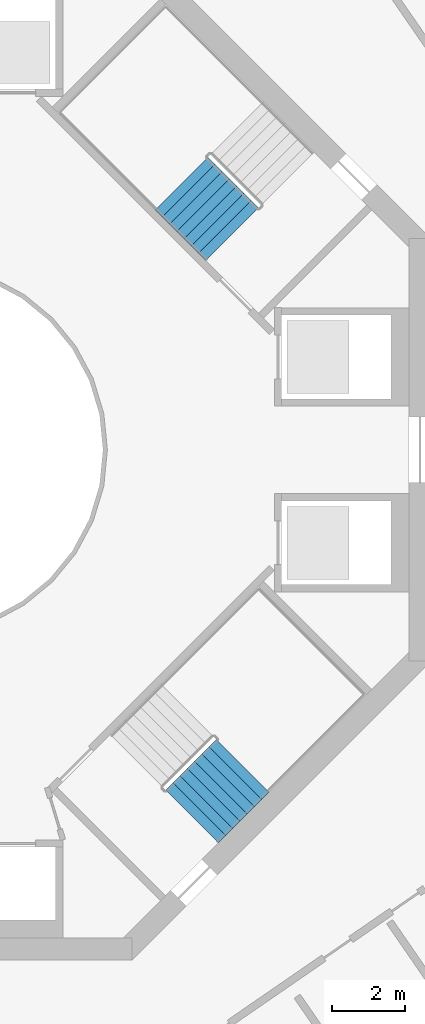
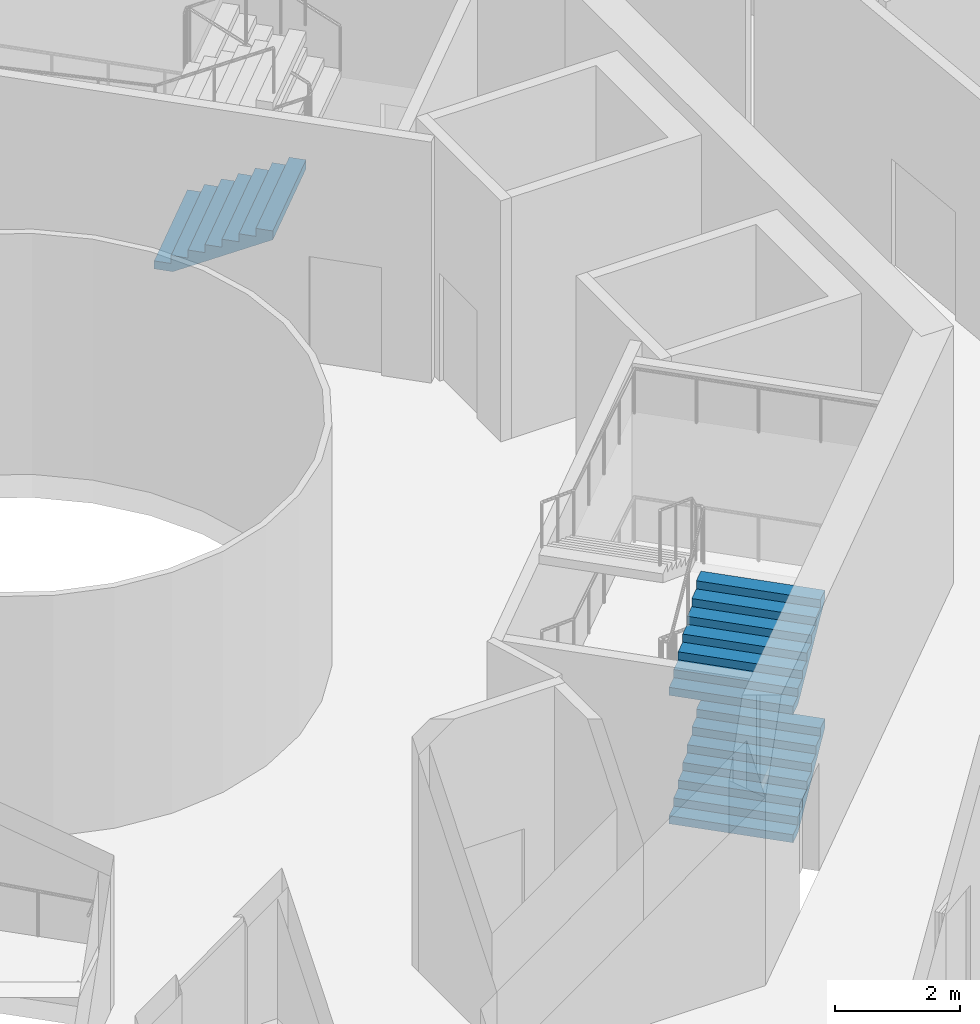
# One storey, part 17 of 21: 3 stair flights, 2 elements without a shape of their own.
"""IFC4 building model written with IfcOpenShell, lengths in metres."""

import ifcopenshell
import ifcopenshell.guid

model = None  # the IFC model being written
_history = None  # IfcOwnerHistory: only IFC2X3 demands one
_inside = {}  # id of a spatial element -> (the spatial element, [elements in it])
_under = {}  # id of a project, library or spatial element -> (it, [spatial elements below it])
_declared = {}  # id of a project -> (the project, [libraries it declares])
_typed = {}  # id of a type object -> (the type object, [elements of that type])
_made_of = {}  # id of a material, layer set ... -> (it, [elements and type objects made of it])


def new_model(schema):
    """Start an empty IFC model of exactly this schema.

    Asked for "IFC4X3", IfcOpenShell would pick the latest addendum, in which some entities
    have other attributes; the version numbers below select the first issue.
    IFC2X3 requires an IfcOwnerHistory on every rooted entity: one is made here for all.
    """
    global model, _history
    if schema == "IFC4X3":
        model = ifcopenshell.file(schema_version=(4, 3, 0, 0))
    else:
        model = ifcopenshell.file(schema=schema)
    _inside.clear()
    _under.clear()
    _declared.clear()
    _typed.clear()
    _made_of.clear()
    _history = None
    if model.schema == "IFC2X3":
        org = make("IfcOrganization", Name="unknown")
        user = make(
            "IfcPersonAndOrganization",
            ThePerson=make("IfcPerson", FamilyName="unknown"),
            TheOrganization=org,
        )
        app = make(
            "IfcApplication",
            ApplicationDeveloper=org,
            Version="unknown",
            ApplicationFullName="unknown",
            ApplicationIdentifier="unknown",
        )
        _history = make(
            "IfcOwnerHistory",
            OwningUser=user,
            OwningApplication=app,
            ChangeAction="ADDED",
            CreationDate=0,
        )
    return model


def make(cls, **values):
    """One entity of the class cls with the attributes given. An attribute that is None is left unset."""
    return model.create_entity(
        cls, **{name: value for name, value in values.items() if value is not None}
    )


def rooted(cls, **values):
    """An entity with a GlobalId (a new one), such as an element, a storey or a relation."""
    return make(cls, GlobalId=ifcopenshell.guid.new(), OwnerHistory=_history, **values)


def si_unit(unit_type, name, prefix=None):
    """IfcSIUnit, for example si_unit("LENGTHUNIT", "METRE", prefix="MILLI")."""
    return make("IfcSIUnit", UnitType=unit_type, Prefix=prefix, Name=name)


def assignment(units):
    """IfcUnitAssignment: the units of a project."""
    return None if units is None else make("IfcUnitAssignment", Units=units)


def point(xyz):
    """IfcCartesianPoint."""
    return None if xyz is None else make("IfcCartesianPoint", Coordinates=xyz)


def direction(xyz):
    """IfcDirection."""
    return None if xyz is None else make("IfcDirection", DirectionRatios=xyz)


def frame(location, z_axis=None, x_axis=None):
    """IfcAxis2Placement3D, a coordinate frame: its origin and axes. An axis left out is left unset."""
    return make(
        "IfcAxis2Placement3D",
        Location=point(location),
        Axis=direction(z_axis),
        RefDirection=direction(x_axis),
    )


def origin():
    """The frame at (0, 0, 0) with its axes left unset."""
    return frame((0.0, 0.0, 0.0))


def place(relative_to, where):
    """IfcLocalPlacement: puts the frame where relative to a parent placement (None: the world)."""
    return make(
        "IfcLocalPlacement", PlacementRelTo=relative_to, RelativePlacement=where
    )


def context(
    kind, dimensions, precision=None, world=None, true_north=None, identifier=None
):
    """IfcGeometricRepresentationContext, for example the 3D "Model" context."""
    return make(
        "IfcGeometricRepresentationContext",
        ContextIdentifier=identifier,
        ContextType=kind,
        CoordinateSpaceDimension=dimensions,
        Precision=precision,
        WorldCoordinateSystem=world,
        TrueNorth=true_north,
    )


def subcontext(parent, identifier, kind, view, scale=None):
    """IfcGeometricRepresentationSubContext, for example "Body" below "Model"."""
    return make(
        "IfcGeometricRepresentationSubContext",
        ContextIdentifier=identifier,
        ContextType=kind,
        ParentContext=parent,
        TargetScale=scale,
        TargetView=view,
    )


def project(units=None, contexts=None):
    """IfcProject with its units and contexts."""
    return rooted(
        "IfcProject",
        Name="project",
        RepresentationContexts=contexts,
        UnitsInContext=assignment(units),
    )


def spatial(cls, under=None, at=None, **own):
    """A site, building, storey or space (cls), placed at a placement, below another one or the project."""
    s = rooted(cls, ObjectPlacement=at, **own)
    if under is not None:
        _under.setdefault(under.id(), (under, []))[1].append(s)
    return s


def point_list(points):
    """IfcCartesianPointList2D or 3D."""
    cls = (
        "IfcCartesianPointList2D" if len(points[0]) == 2 else "IfcCartesianPointList3D"
    )
    return make(cls, CoordList=points)


def triangles(points, corners, closed=None, point_numbers=None):
    """IfcTriangulatedFaceSet: each triangle names its three corners, points numbered from 1."""
    return make(
        "IfcTriangulatedFaceSet",
        Coordinates=point_list(points),
        Closed=closed,
        CoordIndex=corners,
        PnIndex=point_numbers,
    )


def shape(context_of_items, identifier, shape_type, items):
    """IfcShapeRepresentation: the items that make up one representation, for example the "Body"."""
    return make(
        "IfcShapeRepresentation",
        ContextOfItems=context_of_items,
        RepresentationIdentifier=identifier,
        RepresentationType=shape_type,
        Items=items,
    )


def material(Name=None, Category=None):
    """IfcMaterial."""
    return make("IfcMaterial", Name=Name, Category=Category)


def made_of(thing, what):
    """Note that an element or type object is made of a material, layer set ...; save() writes the relation."""
    if what is not None:
        _made_of.setdefault(what.id(), (what, []))[1].append(thing)
    return thing


def type_object(cls, material=None, **own):
    """A type object (cls), such as IfcWallType, which elements share."""
    return made_of(rooted(cls, **own), material)


def element(
    cls,
    number,
    at=None,
    inside=None,
    cuts=None,
    type_object=None,
    material=None,
    context=None,
    identifier="Body",
    shape_type=None,
    held_by="IfcProductDefinitionShape",
    body=None,
    shapes=None,
    **own,
):
    """One element of the class cls, such as IfcWall. Its Tag is "e" and its number.

    at: its placement. inside: the storey or other place that contains it. cuts: it is an
    opening in that element (IfcRelVoidsElement). A single representation is given by context,
    identifier, shape_type and body (its items); several are given by shapes. held_by: the class
    of the entity that holds the representations. save() writes the other relations.
    """
    e = rooted(cls, Tag="e%d" % number, ObjectPlacement=at, **own)
    if body is not None:
        shapes = [shape(context, identifier, shape_type, body)]
    if shapes is not None:
        e.Representation = make(held_by, Representations=shapes)
    if inside is not None:
        _inside.setdefault(inside.id(), (inside, []))[1].append(e)
    if cuts is not None:
        rooted(
            "IfcRelVoidsElement", RelatingBuildingElement=cuts, RelatedOpeningElement=e
        )
    if type_object is not None:
        _typed.setdefault(type_object.id(), (type_object, []))[1].append(e)
    return made_of(e, material)


def aggregate(whole, parts):
    """IfcRelAggregates: a whole, such as a stair, and the parts it consists of."""
    return rooted("IfcRelAggregates", RelatingObject=whole, RelatedObjects=parts)


def save(model, path):
    """Write the relations noted so far, then the file.

    IfcRelAggregates (storeys below a building ...), IfcRelContainedInSpatialStructure (elements
    in a storey), IfcRelDefinesByType, IfcRelAssociatesMaterial and IfcRelDeclares: one each for
    every whole, place, type object, material and project.
    """
    for whole, parts in _under.values():
        aggregate(whole, parts)
    for where, things in _inside.values():
        rooted(
            "IfcRelContainedInSpatialStructure",
            RelatedElements=things,
            RelatingStructure=where,
        )
    for kind, things in _typed.values():
        rooted("IfcRelDefinesByType", RelatedObjects=things, RelatingType=kind)
    for what, things in _made_of.values():
        rooted("IfcRelAssociatesMaterial", RelatedObjects=things, RelatingMaterial=what)
    for by, libraries in _declared.values():
        rooted("IfcRelDeclares", RelatingContext=by, RelatedDefinitions=libraries)
    model.write(path)


model = new_model("IFC4")

# Units and contexts
model_context = context("Model", 3, precision=1e-05, world=origin(), true_north=direction((0.0, 1.0)))
body_context = subcontext(model_context, "Body", "Model", "MODEL_VIEW")
ifc_project = project(units=[si_unit("LENGTHUNIT", "METRE"), si_unit("AREAUNIT", "SQUARE_METRE"), si_unit("VOLUMEUNIT", "CUBIC_METRE"), si_unit("PLANEANGLEUNIT", "RADIAN"), si_unit("MASSUNIT", "GRAM", prefix="KILO")], contexts=[model_context])

# Site, building, storey
site_placement = place(None, origin())
site = spatial("IfcSite", under=ifc_project, at=site_placement, CompositionType="ELEMENT")
building_placement = place(site_placement, origin())
building = spatial("IfcBuilding", under=site, at=building_placement, Name="Verdalira Terraces Hotel", CompositionType="ELEMENT")
storey_placement = place(building_placement, frame((0.0, 0.0, 175.0)))
storey = spatial("IfcBuildingStorey", under=building, at=storey_placement, Name="L42", CompositionType="ELEMENT", Elevation=175.0)

# Stair, stair flight
ifc_material_1 = material(Name="Concrete C40", Category="concrete")
stair_type = type_object("IfcStairType", Name="Core stair 32 risers 2050 mm wide", PredefinedType="HALF_TURN_STAIR", material=ifc_material_1)
stair_1_placement = place(storey_placement, origin())
stair_1 = element("IfcStair", 1, at=stair_1_placement, inside=storey, type_object=stair_type, Name="L42 Exit stair ST1", PredefinedType="HALF_TURN_STAIR")
ifc_material_2 = material(Name="Concrete C40", Category="concrete")
stair_flight_type = type_object("IfcStairFlightType", Name="Core stair flight 32 risers 2050 mm wide", PredefinedType="STRAIGHT", material=ifc_material_2)
stair_flight_1_placement = place(storey_placement, frame((7.152344, 7.307861, 1.25), z_axis=(0.0, 0.0, 1.0), x_axis=(0.707106781, -0.707106781, 0.0)))
stair_flight_1 = element("IfcStairFlight", 2, at=stair_flight_1_placement, type_object=stair_flight_type, Name="ST1 flight 2", NumberOfRisers=8, NumberOfTreads=7, PredefinedType="STRAIGHT", RiserHeight=0.15625, TreadLength=0.28, context=body_context, shape_type="Tessellation", body=[
    triangles([(0.0, 1.025024, 0.0), (0.307617, 1.025024, 0.0), (1.959961, 1.025024, 0.922119), (0.0, -1.025024, 0.0), (0.307617, -1.025024, 0.0), (1.959961, -1.025024, 0.922119), (1.959961, 1.025024, 1.09375), (1.679932, 1.025024, 1.09375), (1.959961, -1.025024, 1.09375), (1.679932, -1.025024, 1.09375), (1.679932, 1.025024, 0.9375), (1.679932, -1.025024, 0.9375), (1.399902, 1.025024, 0.9375), (1.399902, -1.025024, 0.9375), (1.399902, 1.025024, 0.78125), (1.399902, -1.025024, 0.78125), (1.120117, 1.025024, 0.78125), (1.120117, 1.025024, 0.625), (1.120117, -1.025024, 0.78125), (1.120117, -1.025024, 0.625), (0.840088, 1.025024, 0.625), (0.840088, 1.025024, 0.46875), (0.840088, -1.025024, 0.625), (0.840088, -1.025024, 0.46875), (0.560059, 1.025024, 0.46875), (0.560059, 1.025024, 0.3125), (0.560059, -1.025024, 0.46875), (0.560059, -1.025024, 0.3125), (0.280029, 1.025024, 0.3125), (0.280029, 1.025024, 0.15625), (0.280029, -1.025024, 0.3125), (0.280029, -1.025024, 0.15625), (0.0, 1.025024, 0.15625), (0.0, -1.025024, 0.15625), (0.0, -0.96096, 0.0), (0.0, -0.96096, 0.15625), (0.0, -0.896896, 0.0), (0.0, -0.896896, 0.15625), (0.0, -0.832832, 0.0), (0.0, -0.832832, 0.15625), (0.0, -0.768768, 0.0), (0.0, -0.768768, 0.15625), (0.0, -0.704704, 0.0), (0.0, -0.704704, 0.15625), (0.0, -0.64064, 0.0), (0.0, -0.64064, 0.15625), (0.0, -0.576576, 0.0), (0.0, -0.576576, 0.15625), (0.0, -0.512512, 0.0), (0.0, -0.512512, 0.15625), (0.0, -0.448448, 0.0), (0.0, -0.448448, 0.15625), (0.0, -0.384384, 0.0), (0.0, -0.384384, 0.15625), (0.0, -0.32032, 0.0), (0.0, -0.32032, 0.15625), (0.0, -0.256256, 0.0), (0.0, -0.256256, 0.15625), (0.0, -0.192192, 0.0), (0.0, -0.192192, 0.15625), (0.0, -0.128128, 0.0), (0.0, -0.128128, 0.15625), (0.0, -0.064064, 0.0), (0.0, -0.064064, 0.15625), (0.0, 0.0, 0.0), (0.0, 0.0, 0.15625), (0.0, 0.064064, 0.0), (0.0, 0.064064, 0.15625), (0.0, 0.128128, 0.0), (0.0, 0.128128, 0.15625), (0.0, 0.192192, 0.0), (0.0, 0.192192, 0.15625), (0.0, 0.256256, 0.0), (0.0, 0.256256, 0.15625), (0.0, 0.32032, 0.0), (0.0, 0.32032, 0.15625), (0.0, 0.384384, 0.0), (0.0, 0.384384, 0.15625), (0.0, 0.448448, 0.0), (0.0, 0.448448, 0.15625), (0.0, 0.512512, 0.0), (0.0, 0.512512, 0.15625), (0.0, 0.576576, 0.0), (0.0, 0.576576, 0.15625), (0.0, 0.64064, 0.0), (0.0, 0.64064, 0.15625), (0.0, 0.704704, 0.0), (0.0, 0.704704, 0.15625), (0.0, 0.768768, 0.0), (0.0, 0.768768, 0.15625), (0.0, 0.832832, 0.0), (0.0, 0.832832, 0.15625), (0.0, 0.896896, 0.0), (0.0, 0.896896, 0.15625), (0.0, 0.96096, 0.0), (0.0, 0.96096, 0.15625), (1.959961, -0.96096, 1.09375), (1.959961, -0.896896, 1.09375), (1.959961, -0.832832, 1.09375), (1.959961, -0.768768, 1.09375), (1.959961, -0.704704, 1.09375), (1.959961, -0.64064, 1.09375), (1.959961, -0.576576, 1.09375), (1.959961, -0.512512, 1.09375), (1.959961, -0.448448, 1.09375), (1.959961, -0.384384, 1.09375), (1.959961, -0.32032, 1.09375), (1.959961, -0.256256, 1.09375), (1.959961, -0.192192, 1.09375), (1.959961, -0.128128, 1.09375), (1.959961, -0.064064, 1.09375), (1.959961, 0.0, 1.09375), (1.959961, 0.064064, 1.09375), (1.959961, 0.128128, 1.09375), (1.959961, 0.192192, 1.09375), (1.959961, 0.256256, 1.09375), (1.959961, 0.32032, 1.09375), (1.959961, 0.384384, 1.09375), (1.959961, 0.448448, 1.09375), (1.959961, 0.512512, 1.09375), (1.959961, 0.576576, 1.09375), (1.959961, 0.64064, 1.09375), (1.959961, 0.704704, 1.09375), (1.959961, 0.768768, 1.09375), (1.959961, 0.832832, 1.09375), (1.959961, 0.896896, 1.09375), (1.959961, 0.96096, 1.09375), (1.959961, -0.96096, 0.922119), (1.959961, -0.896896, 0.922119), (1.959961, -0.832832, 0.922119), (1.959961, -0.768768, 0.922119), (1.959961, -0.704704, 0.922119), (1.959961, -0.64064, 0.922119), (1.959961, -0.576576, 0.922119), (1.959961, -0.512512, 0.922119), (1.959961, -0.448448, 0.922119), (1.959961, -0.384384, 0.922119), (1.959961, -0.32032, 0.922119), (1.959961, -0.256256, 0.922119), (1.959961, -0.192192, 0.922119), (1.959961, -0.128128, 0.922119), (1.959961, -0.064064, 0.922119), (1.959961, 0.0, 0.922119), (1.959961, 0.064064, 0.922119), (1.959961, 0.128128, 0.922119), (1.959961, 0.192192, 0.922119), (1.959961, 0.256256, 0.922119), (1.959961, 0.32032, 0.922119), (1.959961, 0.384384, 0.922119), (1.959961, 0.448448, 0.922119), (1.959961, 0.512512, 0.922119), (1.959961, 0.576576, 0.922119), (1.959961, 0.64064, 0.922119), (1.959961, 0.704704, 0.922119), (1.959961, 0.768768, 0.922119), (1.959961, 0.832832, 0.922119), (1.959961, 0.896896, 0.922119), (1.959961, 0.96096, 0.922119)], [[1, 3, 2], [4, 5, 6], [3, 8, 7], [6, 9, 10], [3, 11, 8], [6, 10, 12], [3, 13, 11], [6, 12, 14], [3, 15, 13], [6, 14, 16], [15, 18, 17], [16, 19, 20], [3, 18, 15], [6, 16, 20], [18, 22, 21], [20, 23, 24], [3, 22, 18], [6, 20, 24], [22, 26, 25], [24, 27, 28], [3, 26, 22], [6, 24, 28], [26, 30, 29], [28, 31, 32], [3, 30, 26], [6, 28, 32], [1, 30, 3], [4, 6, 32], [30, 1, 33], [32, 34, 4], [4, 36, 35], [4, 34, 36], [35, 38, 37], [35, 36, 38], [37, 40, 39], [37, 38, 40], [39, 42, 41], [39, 40, 42], [41, 44, 43], [41, 42, 44], [43, 46, 45], [43, 44, 46], [45, 48, 47], [45, 46, 48], [47, 50, 49], [47, 48, 50], [49, 52, 51], [49, 50, 52], [51, 54, 53], [51, 52, 54], [53, 56, 55], [53, 54, 56], [55, 58, 57], [55, 56, 58], [57, 60, 59], [57, 58, 60], [59, 62, 61], [59, 60, 62], [61, 64, 63], [61, 62, 64], [63, 66, 65], [63, 64, 66], [65, 68, 67], [65, 66, 68], [67, 70, 69], [67, 68, 70], [69, 72, 71], [69, 70, 72], [71, 74, 73], [71, 72, 74], [73, 76, 75], [73, 74, 76], [75, 78, 77], [75, 76, 78], [77, 80, 79], [77, 78, 80], [79, 82, 81], [79, 80, 82], [81, 84, 83], [81, 82, 84], [83, 86, 85], [83, 84, 86], [85, 88, 87], [85, 86, 88], [87, 90, 89], [87, 88, 90], [89, 92, 91], [89, 90, 92], [91, 94, 93], [91, 92, 94], [93, 96, 95], [93, 94, 96], [95, 33, 1], [95, 96, 33], [34, 32, 36], [36, 32, 38], [38, 32, 40], [40, 32, 42], [42, 32, 44], [44, 32, 46], [46, 32, 48], [48, 32, 50], [50, 32, 52], [52, 32, 54], [54, 32, 56], [56, 32, 58], [58, 32, 60], [60, 32, 62], [62, 32, 64], [64, 32, 66], [66, 32, 68], [68, 32, 70], [70, 32, 72], [72, 32, 74], [74, 32, 76], [76, 32, 78], [78, 32, 80], [80, 32, 82], [82, 32, 84], [84, 32, 86], [86, 32, 88], [88, 32, 90], [90, 32, 92], [92, 32, 94], [94, 32, 96], [96, 32, 33], [33, 32, 30], [32, 29, 30], [32, 31, 29], [31, 26, 29], [31, 28, 26], [28, 25, 26], [28, 27, 25], [27, 22, 25], [27, 24, 22], [24, 21, 22], [24, 23, 21], [23, 18, 21], [23, 20, 18], [20, 17, 18], [20, 19, 17], [19, 15, 17], [19, 16, 15], [16, 13, 15], [16, 14, 13], [14, 11, 13], [14, 12, 11], [12, 8, 11], [12, 10, 8], [9, 97, 10], [97, 98, 10], [98, 99, 10], [99, 100, 10], [100, 101, 10], [101, 102, 10], [102, 103, 10], [103, 104, 10], [104, 105, 10], [105, 106, 10], [106, 107, 10], [107, 108, 10], [108, 109, 10], [109, 110, 10], [110, 111, 10], [111, 112, 10], [112, 113, 10], [113, 114, 10], [114, 115, 10], [115, 116, 10], [116, 117, 10], [117, 118, 10], [118, 119, 10], [119, 120, 10], [120, 121, 10], [121, 122, 10], [122, 123, 10], [123, 124, 10], [124, 125, 10], [125, 126, 10], [126, 127, 10], [127, 7, 10], [7, 8, 10], [9, 128, 97], [9, 6, 128], [97, 129, 98], [97, 128, 129], [98, 130, 99], [98, 129, 130], [99, 131, 100], [99, 130, 131], [100, 132, 101], [100, 131, 132], [101, 133, 102], [101, 132, 133], [102, 134, 103], [102, 133, 134], [103, 135, 104], [103, 134, 135], [104, 136, 105], [104, 135, 136], [105, 137, 106], [105, 136, 137], [106, 138, 107], [106, 137, 138], [107, 139, 108], [107, 138, 139], [108, 140, 109], [108, 139, 140], [109, 141, 110], [109, 140, 141], [110, 142, 111], [110, 141, 142], [111, 143, 112], [111, 142, 143], [112, 144, 113], [112, 143, 144], [113, 145, 114], [113, 144, 145], [114, 146, 115], [114, 145, 146], [115, 147, 116], [115, 146, 147], [116, 148, 117], [116, 147, 148], [117, 149, 118], [117, 148, 149], [118, 150, 119], [118, 149, 150], [119, 151, 120], [119, 150, 151], [120, 152, 121], [120, 151, 152], [121, 153, 122], [121, 152, 153], [122, 154, 123], [122, 153, 154], [123, 155, 124], [123, 154, 155], [124, 156, 125], [124, 155, 156], [125, 157, 126], [125, 156, 157], [126, 158, 127], [126, 157, 158], [127, 3, 7], [127, 158, 3], [6, 5, 128], [128, 5, 129], [129, 5, 130], [130, 5, 131], [131, 5, 132], [132, 5, 133], [133, 5, 134], [134, 5, 135], [135, 5, 136], [136, 5, 137], [137, 5, 138], [138, 5, 139], [139, 5, 140], [140, 5, 141], [141, 5, 142], [142, 5, 143], [143, 5, 144], [144, 5, 145], [145, 5, 146], [146, 5, 147], [147, 5, 148], [148, 5, 149], [149, 5, 150], [150, 5, 151], [151, 5, 152], [152, 5, 153], [153, 5, 154], [154, 5, 155], [155, 5, 156], [156, 5, 157], [157, 5, 158], [158, 5, 3], [3, 5, 2], [4, 35, 5], [35, 37, 5], [37, 39, 5], [39, 41, 5], [41, 43, 5], [43, 45, 5], [45, 47, 5], [47, 49, 5], [49, 51, 5], [51, 53, 5], [53, 55, 5], [55, 57, 5], [57, 59, 5], [59, 61, 5], [61, 63, 5], [63, 65, 5], [65, 67, 5], [67, 69, 5], [69, 71, 5], [71, 73, 5], [73, 75, 5], [75, 77, 5], [77, 79, 5], [79, 81, 5], [81, 83, 5], [83, 85, 5], [85, 87, 5], [87, 89, 5], [89, 91, 5], [91, 93, 5], [93, 95, 5], [95, 1, 5], [1, 2, 5]], closed=True),
])
aggregate(stair_1, [stair_flight_1])

# Stair, stair flights
stair_2_placement = place(storey_placement, origin())
stair_2 = element("IfcStair", 3, at=stair_2_placement, inside=storey, type_object=stair_type, Name="L42 Exit stair ST3", PredefinedType="HALF_TURN_STAIR")
stair_flight_2_placement = place(storey_placement, frame((7.442383, -10.058594, 0.0), z_axis=(0.0, 0.0, 1.0), x_axis=(0.707106781, 0.707106781, 0.0)))
stair_flight_2 = element("IfcStairFlight", 4, at=stair_flight_2_placement, type_object=stair_flight_type, Name="ST3 flight 1", NumberOfRisers=8, NumberOfTreads=7, PredefinedType="STRAIGHT", RiserHeight=0.15625, TreadLength=0.28, context=body_context, shape_type="Tessellation", body=[
    triangles([(0.0, 1.025024, 0.0), (0.307617, 1.025024, 0.0), (1.959961, 1.025024, 0.922119), (0.0, -1.025024, 0.0), (0.307617, -1.025024, 0.0), (1.959961, -1.025024, 0.922119), (1.959961, 1.025024, 1.09375), (1.679932, 1.025024, 1.09375), (1.959961, -1.025024, 1.09375), (1.679932, -1.025024, 1.09375), (1.679932, 1.025024, 0.9375), (1.679932, -1.025024, 0.9375), (1.399902, 1.025024, 0.9375), (1.399902, -1.025024, 0.9375), (1.399902, 1.025024, 0.78125), (1.399902, -1.025024, 0.78125), (1.120117, 1.025024, 0.78125), (1.120117, 1.025024, 0.625), (1.120117, -1.025024, 0.78125), (1.120117, -1.025024, 0.625), (0.840088, 1.025024, 0.625), (0.840088, 1.025024, 0.46875), (0.840088, -1.025024, 0.625), (0.840088, -1.025024, 0.46875), (0.560059, 1.025024, 0.46875), (0.560059, 1.025024, 0.3125), (0.560059, -1.025024, 0.46875), (0.560059, -1.025024, 0.3125), (0.280029, 1.025024, 0.3125), (0.280029, 1.025024, 0.15625), (0.280029, -1.025024, 0.3125), (0.280029, -1.025024, 0.15625), (0.0, 1.025024, 0.15625), (0.0, -1.025024, 0.15625), (0.0, -0.96096, 0.0), (0.0, -0.96096, 0.15625), (0.0, -0.896896, 0.0), (0.0, -0.896896, 0.15625), (0.0, -0.832832, 0.0), (0.0, -0.832832, 0.15625), (0.0, -0.768768, 0.0), (0.0, -0.768768, 0.15625), (0.0, -0.704704, 0.0), (0.0, -0.704704, 0.15625), (0.0, -0.64064, 0.0), (0.0, -0.64064, 0.15625), (0.0, -0.576576, 0.0), (0.0, -0.576576, 0.15625), (0.0, -0.512512, 0.0), (0.0, -0.512512, 0.15625), (0.0, -0.448448, 0.0), (0.0, -0.448448, 0.15625), (0.0, -0.384384, 0.0), (0.0, -0.384384, 0.15625), (0.0, -0.32032, 0.0), (0.0, -0.32032, 0.15625), (0.0, -0.256256, 0.0), (0.0, -0.256256, 0.15625), (0.0, -0.192192, 0.0), (0.0, -0.192192, 0.15625), (0.0, -0.128128, 0.0), (0.0, -0.128128, 0.15625), (0.0, -0.064064, 0.0), (0.0, -0.064064, 0.15625), (0.0, 0.0, 0.0), (0.0, 0.0, 0.15625), (0.0, 0.064064, 0.0), (0.0, 0.064064, 0.15625), (0.0, 0.128128, 0.0), (0.0, 0.128128, 0.15625), (0.0, 0.192192, 0.0), (0.0, 0.192192, 0.15625), (0.0, 0.256256, 0.0), (0.0, 0.256256, 0.15625), (0.0, 0.32032, 0.0), (0.0, 0.32032, 0.15625), (0.0, 0.384384, 0.0), (0.0, 0.384384, 0.15625), (0.0, 0.448448, 0.0), (0.0, 0.448448, 0.15625), (0.0, 0.512512, 0.0), (0.0, 0.512512, 0.15625), (0.0, 0.576576, 0.0), (0.0, 0.576576, 0.15625), (0.0, 0.64064, 0.0), (0.0, 0.64064, 0.15625), (0.0, 0.704704, 0.0), (0.0, 0.704704, 0.15625), (0.0, 0.768768, 0.0), (0.0, 0.768768, 0.15625), (0.0, 0.832832, 0.0), (0.0, 0.832832, 0.15625), (0.0, 0.896896, 0.0), (0.0, 0.896896, 0.15625), (0.0, 0.96096, 0.0), (0.0, 0.96096, 0.15625), (1.959961, -0.96096, 1.09375), (1.959961, -0.896896, 1.09375), (1.959961, -0.832832, 1.09375), (1.959961, -0.768768, 1.09375), (1.959961, -0.704704, 1.09375), (1.959961, -0.64064, 1.09375), (1.959961, -0.576576, 1.09375), (1.959961, -0.512512, 1.09375), (1.959961, -0.448448, 1.09375), (1.959961, -0.384384, 1.09375), (1.959961, -0.32032, 1.09375), (1.959961, -0.256256, 1.09375), (1.959961, -0.192192, 1.09375), (1.959961, -0.128128, 1.09375), (1.959961, -0.064064, 1.09375), (1.959961, 0.0, 1.09375), (1.959961, 0.064064, 1.09375), (1.959961, 0.128128, 1.09375), (1.959961, 0.192192, 1.09375), (1.959961, 0.256256, 1.09375), (1.959961, 0.32032, 1.09375), (1.959961, 0.384384, 1.09375), (1.959961, 0.448448, 1.09375), (1.959961, 0.512512, 1.09375), (1.959961, 0.576576, 1.09375), (1.959961, 0.64064, 1.09375), (1.959961, 0.704704, 1.09375), (1.959961, 0.768768, 1.09375), (1.959961, 0.832832, 1.09375), (1.959961, 0.896896, 1.09375), (1.959961, 0.96096, 1.09375), (1.959961, -0.96096, 0.922119), (1.959961, -0.896896, 0.922119), (1.959961, -0.832832, 0.922119), (1.959961, -0.768768, 0.922119), (1.959961, -0.704704, 0.922119), (1.959961, -0.64064, 0.922119), (1.959961, -0.576576, 0.922119), (1.959961, -0.512512, 0.922119), (1.959961, -0.448448, 0.922119), (1.959961, -0.384384, 0.922119), (1.959961, -0.32032, 0.922119), (1.959961, -0.256256, 0.922119), (1.959961, -0.192192, 0.922119), (1.959961, -0.128128, 0.922119), (1.959961, -0.064064, 0.922119), (1.959961, 0.0, 0.922119), (1.959961, 0.064064, 0.922119), (1.959961, 0.128128, 0.922119), (1.959961, 0.192192, 0.922119), (1.959961, 0.256256, 0.922119), (1.959961, 0.32032, 0.922119), (1.959961, 0.384384, 0.922119), (1.959961, 0.448448, 0.922119), (1.959961, 0.512512, 0.922119), (1.959961, 0.576576, 0.922119), (1.959961, 0.64064, 0.922119), (1.959961, 0.704704, 0.922119), (1.959961, 0.768768, 0.922119), (1.959961, 0.832832, 0.922119), (1.959961, 0.896896, 0.922119), (1.959961, 0.96096, 0.922119)], [[1, 3, 2], [4, 5, 6], [3, 8, 7], [6, 9, 10], [3, 11, 8], [6, 10, 12], [3, 13, 11], [6, 12, 14], [3, 15, 13], [6, 14, 16], [15, 18, 17], [16, 19, 20], [3, 18, 15], [6, 16, 20], [18, 22, 21], [20, 23, 24], [3, 22, 18], [6, 20, 24], [22, 26, 25], [24, 27, 28], [3, 26, 22], [6, 24, 28], [26, 30, 29], [28, 31, 32], [3, 30, 26], [6, 28, 32], [1, 30, 3], [4, 6, 32], [30, 1, 33], [32, 34, 4], [4, 36, 35], [4, 34, 36], [35, 38, 37], [35, 36, 38], [37, 40, 39], [37, 38, 40], [39, 42, 41], [39, 40, 42], [41, 44, 43], [41, 42, 44], [43, 46, 45], [43, 44, 46], [45, 48, 47], [45, 46, 48], [47, 50, 49], [47, 48, 50], [49, 52, 51], [49, 50, 52], [51, 54, 53], [51, 52, 54], [53, 56, 55], [53, 54, 56], [55, 58, 57], [55, 56, 58], [57, 60, 59], [57, 58, 60], [59, 62, 61], [59, 60, 62], [61, 64, 63], [61, 62, 64], [63, 66, 65], [63, 64, 66], [65, 68, 67], [65, 66, 68], [67, 70, 69], [67, 68, 70], [69, 72, 71], [69, 70, 72], [71, 74, 73], [71, 72, 74], [73, 76, 75], [73, 74, 76], [75, 78, 77], [75, 76, 78], [77, 80, 79], [77, 78, 80], [79, 82, 81], [79, 80, 82], [81, 84, 83], [81, 82, 84], [83, 86, 85], [83, 84, 86], [85, 88, 87], [85, 86, 88], [87, 90, 89], [87, 88, 90], [89, 92, 91], [89, 90, 92], [91, 94, 93], [91, 92, 94], [93, 96, 95], [93, 94, 96], [95, 33, 1], [95, 96, 33], [34, 32, 36], [36, 32, 38], [38, 32, 40], [40, 32, 42], [42, 32, 44], [44, 32, 46], [46, 32, 48], [48, 32, 50], [50, 32, 52], [52, 32, 54], [54, 32, 56], [56, 32, 58], [58, 32, 60], [60, 32, 62], [62, 32, 64], [64, 32, 66], [66, 32, 68], [68, 32, 70], [70, 32, 72], [72, 32, 74], [74, 32, 76], [76, 32, 78], [78, 32, 80], [80, 32, 82], [82, 32, 84], [84, 32, 86], [86, 32, 88], [88, 32, 90], [90, 32, 92], [92, 32, 94], [94, 32, 96], [96, 32, 33], [33, 32, 30], [32, 29, 30], [32, 31, 29], [31, 26, 29], [31, 28, 26], [28, 25, 26], [28, 27, 25], [27, 22, 25], [27, 24, 22], [24, 21, 22], [24, 23, 21], [23, 18, 21], [23, 20, 18], [20, 17, 18], [20, 19, 17], [19, 15, 17], [19, 16, 15], [16, 13, 15], [16, 14, 13], [14, 11, 13], [14, 12, 11], [12, 8, 11], [12, 10, 8], [9, 97, 10], [97, 98, 10], [98, 99, 10], [99, 100, 10], [100, 101, 10], [101, 102, 10], [102, 103, 10], [103, 104, 10], [104, 105, 10], [105, 106, 10], [106, 107, 10], [107, 108, 10], [108, 109, 10], [109, 110, 10], [110, 111, 10], [111, 112, 10], [112, 113, 10], [113, 114, 10], [114, 115, 10], [115, 116, 10], [116, 117, 10], [117, 118, 10], [118, 119, 10], [119, 120, 10], [120, 121, 10], [121, 122, 10], [122, 123, 10], [123, 124, 10], [124, 125, 10], [125, 126, 10], [126, 127, 10], [127, 7, 10], [7, 8, 10], [9, 128, 97], [9, 6, 128], [97, 129, 98], [97, 128, 129], [98, 130, 99], [98, 129, 130], [99, 131, 100], [99, 130, 131], [100, 132, 101], [100, 131, 132], [101, 133, 102], [101, 132, 133], [102, 134, 103], [102, 133, 134], [103, 135, 104], [103, 134, 135], [104, 136, 105], [104, 135, 136], [105, 137, 106], [105, 136, 137], [106, 138, 107], [106, 137, 138], [107, 139, 108], [107, 138, 139], [108, 140, 109], [108, 139, 140], [109, 141, 110], [109, 140, 141], [110, 142, 111], [110, 141, 142], [111, 143, 112], [111, 142, 143], [112, 144, 113], [112, 143, 144], [113, 145, 114], [113, 144, 145], [114, 146, 115], [114, 145, 146], [115, 147, 116], [115, 146, 147], [116, 148, 117], [116, 147, 148], [117, 149, 118], [117, 148, 149], [118, 150, 119], [118, 149, 150], [119, 151, 120], [119, 150, 151], [120, 152, 121], [120, 151, 152], [121, 153, 122], [121, 152, 153], [122, 154, 123], [122, 153, 154], [123, 155, 124], [123, 154, 155], [124, 156, 125], [124, 155, 156], [125, 157, 126], [125, 156, 157], [126, 158, 127], [126, 157, 158], [127, 3, 7], [127, 158, 3], [6, 5, 128], [128, 5, 129], [129, 5, 130], [130, 5, 131], [131, 5, 132], [132, 5, 133], [133, 5, 134], [134, 5, 135], [135, 5, 136], [136, 5, 137], [137, 5, 138], [138, 5, 139], [139, 5, 140], [140, 5, 141], [141, 5, 142], [142, 5, 143], [143, 5, 144], [144, 5, 145], [145, 5, 146], [146, 5, 147], [147, 5, 148], [148, 5, 149], [149, 5, 150], [150, 5, 151], [151, 5, 152], [152, 5, 153], [153, 5, 154], [154, 5, 155], [155, 5, 156], [156, 5, 157], [157, 5, 158], [158, 5, 3], [3, 5, 2], [4, 35, 5], [35, 37, 5], [37, 39, 5], [39, 41, 5], [41, 43, 5], [43, 45, 5], [45, 47, 5], [47, 49, 5], [49, 51, 5], [51, 53, 5], [53, 55, 5], [55, 57, 5], [57, 59, 5], [59, 61, 5], [61, 63, 5], [63, 65, 5], [65, 67, 5], [67, 69, 5], [69, 71, 5], [71, 73, 5], [73, 75, 5], [75, 77, 5], [77, 79, 5], [79, 81, 5], [81, 83, 5], [83, 85, 5], [85, 87, 5], [87, 89, 5], [89, 91, 5], [91, 93, 5], [93, 95, 5], [95, 1, 5], [1, 2, 5]], closed=True),
])
stair_flight_3_placement = place(storey_placement, frame((7.442383, -10.058594, 2.5), z_axis=(0.0, 0.0, 1.0), x_axis=(0.707106781, 0.707106781, 0.0)))
stair_flight_3 = element("IfcStairFlight", 5, at=stair_flight_3_placement, type_object=stair_flight_type, Name="ST3 flight 3", NumberOfRisers=8, NumberOfTreads=7, PredefinedType="STRAIGHT", RiserHeight=0.15625, TreadLength=0.28, context=body_context, shape_type="Tessellation", body=[
    triangles([(0.0, 1.025024, 0.0), (0.307617, 1.025024, 0.0), (1.959961, 1.025024, 0.922119), (0.0, -1.025024, 0.0), (0.307617, -1.025024, 0.0), (1.959961, -1.025024, 0.922119), (1.959961, 1.025024, 1.09375), (1.679932, 1.025024, 1.09375), (1.959961, -1.025024, 1.09375), (1.679932, -1.025024, 1.09375), (1.679932, 1.025024, 0.9375), (1.679932, -1.025024, 0.9375), (1.399902, 1.025024, 0.9375), (1.399902, -1.025024, 0.9375), (1.399902, 1.025024, 0.78125), (1.399902, -1.025024, 0.78125), (1.120117, 1.025024, 0.78125), (1.120117, 1.025024, 0.625), (1.120117, -1.025024, 0.78125), (1.120117, -1.025024, 0.625), (0.840088, 1.025024, 0.625), (0.840088, 1.025024, 0.46875), (0.840088, -1.025024, 0.625), (0.840088, -1.025024, 0.46875), (0.560059, 1.025024, 0.46875), (0.560059, 1.025024, 0.3125), (0.560059, -1.025024, 0.46875), (0.560059, -1.025024, 0.3125), (0.280029, 1.025024, 0.3125), (0.280029, 1.025024, 0.15625), (0.280029, -1.025024, 0.3125), (0.280029, -1.025024, 0.15625), (0.0, 1.025024, 0.15625), (0.0, -1.025024, 0.15625), (0.0, -0.96096, 0.0), (0.0, -0.96096, 0.15625), (0.0, -0.896896, 0.0), (0.0, -0.896896, 0.15625), (0.0, -0.832832, 0.0), (0.0, -0.832832, 0.15625), (0.0, -0.768768, 0.0), (0.0, -0.768768, 0.15625), (0.0, -0.704704, 0.0), (0.0, -0.704704, 0.15625), (0.0, -0.64064, 0.0), (0.0, -0.64064, 0.15625), (0.0, -0.576576, 0.0), (0.0, -0.576576, 0.15625), (0.0, -0.512512, 0.0), (0.0, -0.512512, 0.15625), (0.0, -0.448448, 0.0), (0.0, -0.448448, 0.15625), (0.0, -0.384384, 0.0), (0.0, -0.384384, 0.15625), (0.0, -0.32032, 0.0), (0.0, -0.32032, 0.15625), (0.0, -0.256256, 0.0), (0.0, -0.256256, 0.15625), (0.0, -0.192192, 0.0), (0.0, -0.192192, 0.15625), (0.0, -0.128128, 0.0), (0.0, -0.128128, 0.15625), (0.0, -0.064064, 0.0), (0.0, -0.064064, 0.15625), (0.0, 0.0, 0.0), (0.0, 0.0, 0.15625), (0.0, 0.064064, 0.0), (0.0, 0.064064, 0.15625), (0.0, 0.128128, 0.0), (0.0, 0.128128, 0.15625), (0.0, 0.192192, 0.0), (0.0, 0.192192, 0.15625), (0.0, 0.256256, 0.0), (0.0, 0.256256, 0.15625), (0.0, 0.32032, 0.0), (0.0, 0.32032, 0.15625), (0.0, 0.384384, 0.0), (0.0, 0.384384, 0.15625), (0.0, 0.448448, 0.0), (0.0, 0.448448, 0.15625), (0.0, 0.512512, 0.0), (0.0, 0.512512, 0.15625), (0.0, 0.576576, 0.0), (0.0, 0.576576, 0.15625), (0.0, 0.64064, 0.0), (0.0, 0.64064, 0.15625), (0.0, 0.704704, 0.0), (0.0, 0.704704, 0.15625), (0.0, 0.768768, 0.0), (0.0, 0.768768, 0.15625), (0.0, 0.832832, 0.0), (0.0, 0.832832, 0.15625), (0.0, 0.896896, 0.0), (0.0, 0.896896, 0.15625), (0.0, 0.96096, 0.0), (0.0, 0.96096, 0.15625), (1.959961, -0.96096, 1.09375), (1.959961, -0.896896, 1.09375), (1.959961, -0.832832, 1.09375), (1.959961, -0.768768, 1.09375), (1.959961, -0.704704, 1.09375), (1.959961, -0.64064, 1.09375), (1.959961, -0.576576, 1.09375), (1.959961, -0.512512, 1.09375), (1.959961, -0.448448, 1.09375), (1.959961, -0.384384, 1.09375), (1.959961, -0.32032, 1.09375), (1.959961, -0.256256, 1.09375), (1.959961, -0.192192, 1.09375), (1.959961, -0.128128, 1.09375), (1.959961, -0.064064, 1.09375), (1.959961, 0.0, 1.09375), (1.959961, 0.064064, 1.09375), (1.959961, 0.128128, 1.09375), (1.959961, 0.192192, 1.09375), (1.959961, 0.256256, 1.09375), (1.959961, 0.32032, 1.09375), (1.959961, 0.384384, 1.09375), (1.959961, 0.448448, 1.09375), (1.959961, 0.512512, 1.09375), (1.959961, 0.576576, 1.09375), (1.959961, 0.64064, 1.09375), (1.959961, 0.704704, 1.09375), (1.959961, 0.768768, 1.09375), (1.959961, 0.832832, 1.09375), (1.959961, 0.896896, 1.09375), (1.959961, 0.96096, 1.09375), (1.959961, -0.96096, 0.922119), (1.959961, -0.896896, 0.922119), (1.959961, -0.832832, 0.922119), (1.959961, -0.768768, 0.922119), (1.959961, -0.704704, 0.922119), (1.959961, -0.64064, 0.922119), (1.959961, -0.576576, 0.922119), (1.959961, -0.512512, 0.922119), (1.959961, -0.448448, 0.922119), (1.959961, -0.384384, 0.922119), (1.959961, -0.32032, 0.922119), (1.959961, -0.256256, 0.922119), (1.959961, -0.192192, 0.922119), (1.959961, -0.128128, 0.922119), (1.959961, -0.064064, 0.922119), (1.959961, 0.0, 0.922119), (1.959961, 0.064064, 0.922119), (1.959961, 0.128128, 0.922119), (1.959961, 0.192192, 0.922119), (1.959961, 0.256256, 0.922119), (1.959961, 0.32032, 0.922119), (1.959961, 0.384384, 0.922119), (1.959961, 0.448448, 0.922119), (1.959961, 0.512512, 0.922119), (1.959961, 0.576576, 0.922119), (1.959961, 0.64064, 0.922119), (1.959961, 0.704704, 0.922119), (1.959961, 0.768768, 0.922119), (1.959961, 0.832832, 0.922119), (1.959961, 0.896896, 0.922119), (1.959961, 0.96096, 0.922119)], [[1, 3, 2], [4, 5, 6], [3, 8, 7], [6, 9, 10], [3, 11, 8], [6, 10, 12], [3, 13, 11], [6, 12, 14], [3, 15, 13], [6, 14, 16], [15, 18, 17], [16, 19, 20], [3, 18, 15], [6, 16, 20], [18, 22, 21], [20, 23, 24], [3, 22, 18], [6, 20, 24], [22, 26, 25], [24, 27, 28], [3, 26, 22], [6, 24, 28], [26, 30, 29], [28, 31, 32], [3, 30, 26], [6, 28, 32], [1, 30, 3], [4, 6, 32], [30, 1, 33], [32, 34, 4], [4, 36, 35], [4, 34, 36], [35, 38, 37], [35, 36, 38], [37, 40, 39], [37, 38, 40], [39, 42, 41], [39, 40, 42], [41, 44, 43], [41, 42, 44], [43, 46, 45], [43, 44, 46], [45, 48, 47], [45, 46, 48], [47, 50, 49], [47, 48, 50], [49, 52, 51], [49, 50, 52], [51, 54, 53], [51, 52, 54], [53, 56, 55], [53, 54, 56], [55, 58, 57], [55, 56, 58], [57, 60, 59], [57, 58, 60], [59, 62, 61], [59, 60, 62], [61, 64, 63], [61, 62, 64], [63, 66, 65], [63, 64, 66], [65, 68, 67], [65, 66, 68], [67, 70, 69], [67, 68, 70], [69, 72, 71], [69, 70, 72], [71, 74, 73], [71, 72, 74], [73, 76, 75], [73, 74, 76], [75, 78, 77], [75, 76, 78], [77, 80, 79], [77, 78, 80], [79, 82, 81], [79, 80, 82], [81, 84, 83], [81, 82, 84], [83, 86, 85], [83, 84, 86], [85, 88, 87], [85, 86, 88], [87, 90, 89], [87, 88, 90], [89, 92, 91], [89, 90, 92], [91, 94, 93], [91, 92, 94], [93, 96, 95], [93, 94, 96], [95, 33, 1], [95, 96, 33], [34, 32, 36], [36, 32, 38], [38, 32, 40], [40, 32, 42], [42, 32, 44], [44, 32, 46], [46, 32, 48], [48, 32, 50], [50, 32, 52], [52, 32, 54], [54, 32, 56], [56, 32, 58], [58, 32, 60], [60, 32, 62], [62, 32, 64], [64, 32, 66], [66, 32, 68], [68, 32, 70], [70, 32, 72], [72, 32, 74], [74, 32, 76], [76, 32, 78], [78, 32, 80], [80, 32, 82], [82, 32, 84], [84, 32, 86], [86, 32, 88], [88, 32, 90], [90, 32, 92], [92, 32, 94], [94, 32, 96], [96, 32, 33], [33, 32, 30], [32, 29, 30], [32, 31, 29], [31, 26, 29], [31, 28, 26], [28, 25, 26], [28, 27, 25], [27, 22, 25], [27, 24, 22], [24, 21, 22], [24, 23, 21], [23, 18, 21], [23, 20, 18], [20, 17, 18], [20, 19, 17], [19, 15, 17], [19, 16, 15], [16, 13, 15], [16, 14, 13], [14, 11, 13], [14, 12, 11], [12, 8, 11], [12, 10, 8], [9, 97, 10], [97, 98, 10], [98, 99, 10], [99, 100, 10], [100, 101, 10], [101, 102, 10], [102, 103, 10], [103, 104, 10], [104, 105, 10], [105, 106, 10], [106, 107, 10], [107, 108, 10], [108, 109, 10], [109, 110, 10], [110, 111, 10], [111, 112, 10], [112, 113, 10], [113, 114, 10], [114, 115, 10], [115, 116, 10], [116, 117, 10], [117, 118, 10], [118, 119, 10], [119, 120, 10], [120, 121, 10], [121, 122, 10], [122, 123, 10], [123, 124, 10], [124, 125, 10], [125, 126, 10], [126, 127, 10], [127, 7, 10], [7, 8, 10], [9, 128, 97], [9, 6, 128], [97, 129, 98], [97, 128, 129], [98, 130, 99], [98, 129, 130], [99, 131, 100], [99, 130, 131], [100, 132, 101], [100, 131, 132], [101, 133, 102], [101, 132, 133], [102, 134, 103], [102, 133, 134], [103, 135, 104], [103, 134, 135], [104, 136, 105], [104, 135, 136], [105, 137, 106], [105, 136, 137], [106, 138, 107], [106, 137, 138], [107, 139, 108], [107, 138, 139], [108, 140, 109], [108, 139, 140], [109, 141, 110], [109, 140, 141], [110, 142, 111], [110, 141, 142], [111, 143, 112], [111, 142, 143], [112, 144, 113], [112, 143, 144], [113, 145, 114], [113, 144, 145], [114, 146, 115], [114, 145, 146], [115, 147, 116], [115, 146, 147], [116, 148, 117], [116, 147, 148], [117, 149, 118], [117, 148, 149], [118, 150, 119], [118, 149, 150], [119, 151, 120], [119, 150, 151], [120, 152, 121], [120, 151, 152], [121, 153, 122], [121, 152, 153], [122, 154, 123], [122, 153, 154], [123, 155, 124], [123, 154, 155], [124, 156, 125], [124, 155, 156], [125, 157, 126], [125, 156, 157], [126, 158, 127], [126, 157, 158], [127, 3, 7], [127, 158, 3], [6, 5, 128], [128, 5, 129], [129, 5, 130], [130, 5, 131], [131, 5, 132], [132, 5, 133], [133, 5, 134], [134, 5, 135], [135, 5, 136], [136, 5, 137], [137, 5, 138], [138, 5, 139], [139, 5, 140], [140, 5, 141], [141, 5, 142], [142, 5, 143], [143, 5, 144], [144, 5, 145], [145, 5, 146], [146, 5, 147], [147, 5, 148], [148, 5, 149], [149, 5, 150], [150, 5, 151], [151, 5, 152], [152, 5, 153], [153, 5, 154], [154, 5, 155], [155, 5, 156], [156, 5, 157], [157, 5, 158], [158, 5, 3], [3, 5, 2], [4, 35, 5], [35, 37, 5], [37, 39, 5], [39, 41, 5], [41, 43, 5], [43, 45, 5], [45, 47, 5], [47, 49, 5], [49, 51, 5], [51, 53, 5], [53, 55, 5], [55, 57, 5], [57, 59, 5], [59, 61, 5], [61, 63, 5], [63, 65, 5], [65, 67, 5], [67, 69, 5], [69, 71, 5], [71, 73, 5], [73, 75, 5], [75, 77, 5], [77, 79, 5], [79, 81, 5], [81, 83, 5], [83, 85, 5], [85, 87, 5], [87, 89, 5], [89, 91, 5], [91, 93, 5], [93, 95, 5], [95, 1, 5], [1, 2, 5]], closed=True),
])
aggregate(stair_2, [stair_flight_2, stair_flight_3])

save(model, "model.ifc")
